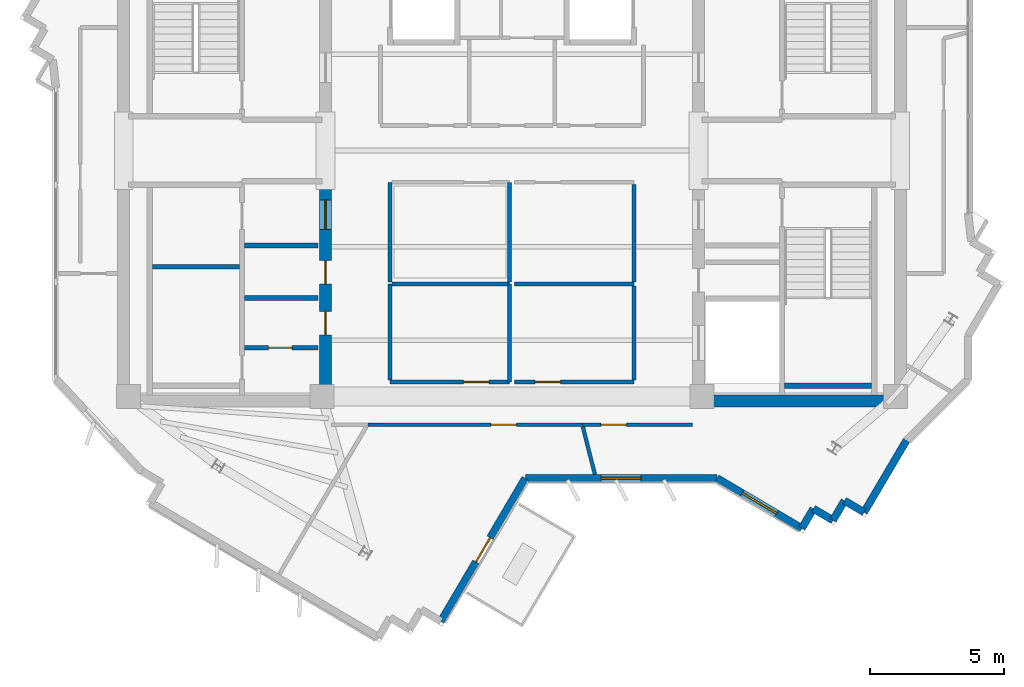
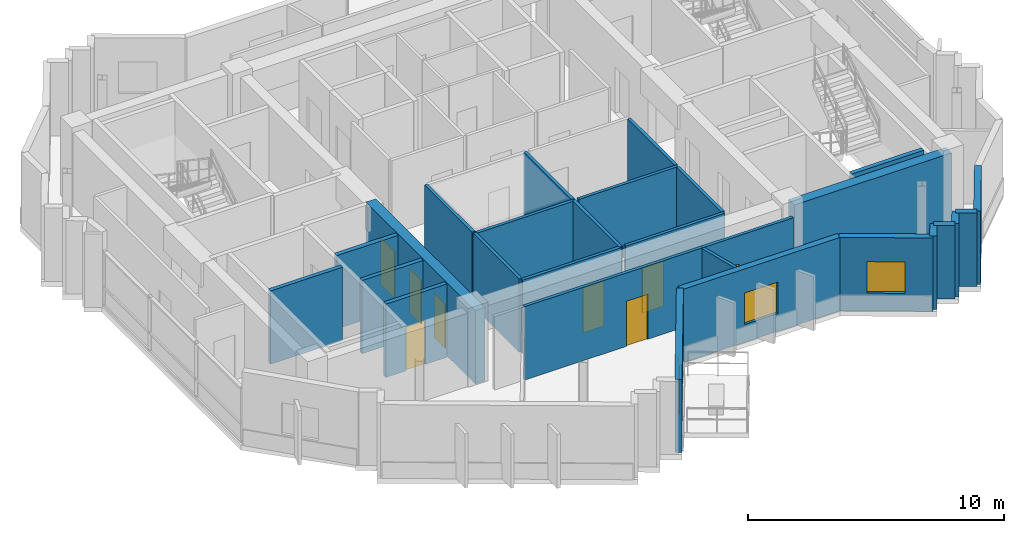
# One storey, part 4 of 10: 28 walls, 9 doors, 2 windows, 11 openings.
"""IFC4 building model written with IfcOpenShell, lengths in metres."""

from ifc_helpers import new_model, si_unit, direction, frame, frame_2d, origin, place, context, subcontext, project, spatial, rectangle, extrude, source, transform, mapped, material, layer, layer_set, type_object, element, fill, save


model = new_model("IFC4")

# Units and contexts
model_context = context("Model", 3, precision=1e-05, world=origin(), true_north=direction((0.0, 1.0)))
body_context = subcontext(model_context, "Body", "Model", "MODEL_VIEW")
ifc_project = project(units=[si_unit("LENGTHUNIT", "METRE"), si_unit("AREAUNIT", "SQUARE_METRE"), si_unit("VOLUMEUNIT", "CUBIC_METRE"), si_unit("PLANEANGLEUNIT", "RADIAN"), si_unit("MASSUNIT", "GRAM", prefix="KILO")], contexts=[model_context])

# Site, building, storey
site_placement = place(None, origin())
site = spatial("IfcSite", under=ifc_project, at=site_placement, CompositionType="ELEMENT")
building_placement = place(site_placement, origin())
building = spatial("IfcBuilding", under=site, at=building_placement, Name="Zahravan Cultural Tower", CompositionType="ELEMENT")
storey_placement = place(building_placement, frame((0.0, 0.0, 349.800048828125)))
storey = spatial("IfcBuildingStorey", under=building, at=storey_placement, Name="L85", CompositionType="ELEMENT", Elevation=349.800048828125)

# Wall, openings, doors
ifc_material_1 = material(Name="Concrete C50/60", Category="concrete")
ifc_layer_1 = layer(ifc_material_1, 0.449951171875)
ifc_layer_set_1 = layer_set([ifc_layer_1], Name="Concrete C50/60")
wall_type_1 = type_object("IfcWallType", Name="CW-SHEAR-450-C50", PredefinedType="SHEAR", material=ifc_layer_set_1)
wall_1_placement = place(storey_placement, frame((29.02490234375, 17.39990234375, 0.0), z_axis=(0.0, 0.0, 1.0), x_axis=(0.0, 1.0, 0.0)))
wall_1 = element("IfcWall", 1, at=wall_1_placement, inside=storey, type_object=wall_type_1, Name="L85 Core Shear Wall CW-W-ES-L85", PredefinedType="SHEAR", context=body_context, shape_type="SweptSolid", body=[
    extrude(rectangle(XDim=8.550048828125, YDim=0.449951171875, at=frame_2d((4.27490234375, 0.0))), origin(), (0.0, 0.0, 1.0), 3.5),
])
opening_1_placement = place(wall_1_placement, frame((6.64990234375, 0.0, 0.0)))
opening_1 = element("IfcOpeningElement", 2, at=opening_1_placement, cuts=wall_1, Name="Opening D-L85-08", PredefinedType="OPENING", context=body_context, shape_type="SweptSolid", body=[
    extrude(rectangle(XDim=1.10009765625, YDim=2.199951171875, at=frame_2d((0.550048828125, 1.10009765625))), frame((0.0, 0.23486328125, 0.0), z_axis=(0.0, -1.0, 0.0), x_axis=(1.0, 0.0, 0.0)), (0.0, 0.0, 1.0), 0.469970703125),
])
opening_2_placement = place(wall_1_placement, frame((2.699951171875, 0.0, 0.0)))
opening_2 = element("IfcOpeningElement", 3, at=opening_2_placement, cuts=wall_1, Name="Opening D-L85-11", PredefinedType="OPENING", context=body_context, shape_type="SweptSolid", body=[
    extrude(rectangle(XDim=0.8798828125, YDim=2.10009765625, at=frame_2d((0.43994140625, 1.050048828125))), frame((0.0, 0.23486328125, 0.0), z_axis=(0.0, -1.0, 0.0), x_axis=(1.0, 0.0, 0.0)), (0.0, 0.0, 1.0), 0.469970703125),
])
opening_3_placement = place(wall_1_placement, frame((4.60009765625, 0.0, 0.0)))
opening_3 = element("IfcOpeningElement", 4, at=opening_3_placement, cuts=wall_1, Name="Opening D-L85-12", PredefinedType="OPENING", context=body_context, shape_type="SweptSolid", body=[
    extrude(rectangle(XDim=0.8798828125, YDim=2.10009765625, at=frame_2d((0.43994140625, 1.050048828125))), frame((0.0, 0.23486328125, 0.0), z_axis=(0.0, -1.0, 0.0), x_axis=(1.0, 0.0, 0.0)), (0.0, 0.0, 1.0), 0.469970703125),
])
ifc_material_2 = material(Name="Steel ASTM A572 Grade 50", Category="steel")
door_type_1 = type_object("IfcDoorType", Name="DR-LOBBY-1100", OperationType="NOTDEFINED", PredefinedType="DOOR", material=ifc_material_2)
shared_shape_1 = source(origin(), body_context, "Body", "SweptSolid", [
    extrude(rectangle(XDim=1.10009765625, YDim=2.199951171875, at=frame_2d((0.550048828125, 1.10009765625))), frame((0.0, 0.02490234375, 0.0), z_axis=(0.0, -1.0, 0.0), x_axis=(1.0, 0.0, 0.0)), (0.0, 0.0, 1.0), 0.050048828125),
])
door_1_placement = place(opening_1_placement, origin())
door_1 = element("IfcDoor", 5, at=door_1_placement, inside=storey, type_object=door_type_1, Name="L85 Door D-L85-08", OperationType="SINGLE_SWING_LEFT", OverallHeight=2.199951171875, OverallWidth=1.10009765625, PredefinedType="DOOR", context=body_context, shape_type="MappedRepresentation", body=[
    mapped(shared_shape_1, transform((0.0, 0.0, 0.0), x_axis=(1.0, 0.0, 0.0), y_axis=(0.0, 1.0, 0.0), z_axis=(0.0, 0.0, 1.0), scale=1.0)),
])
fill(opening_1, door_1)
door_type_2 = type_object("IfcDoorType", Name="DR-SVC-880", OperationType="NOTDEFINED", PredefinedType="DOOR", material=ifc_material_2)
shared_shape_2 = source(origin(), body_context, "Body", "SweptSolid", [
    extrude(rectangle(XDim=0.8798828125, YDim=2.10009765625, at=frame_2d((0.43994140625, 1.050048828125))), frame((0.0, 0.02490234375, 0.0), z_axis=(0.0, -1.0, 0.0), x_axis=(1.0, 0.0, 0.0)), (0.0, 0.0, 1.0), 0.050048828125),
])
door_2_placement = place(opening_2_placement, origin())
door_2 = element("IfcDoor", 6, at=door_2_placement, inside=storey, type_object=door_type_2, Name="L85 Door D-L85-11", OperationType="SINGLE_SWING_RIGHT", OverallHeight=2.10009765625, OverallWidth=0.8798828125, PredefinedType="DOOR", context=body_context, shape_type="MappedRepresentation", body=[
    mapped(shared_shape_2, transform((0.0, 0.0, 0.0), x_axis=(1.0, 0.0, 0.0), y_axis=(0.0, 1.0, 0.0), z_axis=(0.0, 0.0, 1.0), scale=1.0)),
])
fill(opening_2, door_2)
door_3_placement = place(opening_3_placement, origin())
door_3 = element("IfcDoor", 7, at=door_3_placement, inside=storey, type_object=door_type_2, Name="L85 Door D-L85-12", OperationType="SINGLE_SWING_LEFT", OverallHeight=2.10009765625, OverallWidth=0.8798828125, PredefinedType="DOOR", context=body_context, shape_type="MappedRepresentation", body=[
    mapped(shared_shape_2, transform((0.0, 0.0, 0.0), x_axis=(1.0, 0.0, 0.0), y_axis=(0.0, 1.0, 0.0), z_axis=(0.0, 0.0, 1.0), scale=1.0)),
])
fill(opening_3, door_3)

# Wall, opening, window
ifc_material_3 = material(Name="Precast concrete C40/50", Category="concrete")
ifc_layer_2 = layer(ifc_material_3, 0.280029296875)
ifc_layer_set_2 = layer_set([ifc_layer_2], Name="Precast concrete C40/50")
wall_type_2 = type_object("IfcWallType", Name="EW-TC-280", PredefinedType="SOLIDWALL", material=ifc_layer_set_2)
wall_2_placement = place(storey_placement, frame((46.841552734375, 12.867431640625, 0.0), z_axis=(0.0, 0.0, 1.0), x_axis=(-0.861166561994, 0.508322882137, 0.0)))
wall_2 = element("IfcWall", 8, at=wall_2_placement, inside=storey, type_object=wall_type_2, Name="L85 Exterior Masonry Frame Wall 22", PredefinedType="SOLIDWALL", context=body_context, shape_type="SweptSolid", body=[
    extrude(rectangle(XDim=3.683837890625, YDim=0.280029296875, at=frame_2d((1.841796875, 0.0))), origin(), (0.0, 0.0, 1.0), 3.5),
])
opening_4_placement = place(wall_2_placement, frame((1.092041015625, 0.0, 0.85009765625)))
opening_4 = element("IfcOpeningElement", 9, at=opening_4_placement, cuts=wall_2, Name="Opening WN-03", PredefinedType="OPENING", context=body_context, shape_type="SweptSolid", body=[
    extrude(rectangle(XDim=1.5, YDim=1.5, at=frame_2d((0.75, 0.75))), frame((0.0, 0.14990234375, 0.0), z_axis=(0.0, -1.0, 0.0), x_axis=(1.0, 0.0, 0.0)), (0.0, 0.0, 1.0), 0.300048828125),
])
ifc_material_4 = material(Name="Low-E solar-control double glazing", Category="glass")
window_type = type_object("IfcWindowType", Name="WN-REC-1500X1500", PartitioningType="SINGLE_PANEL", PredefinedType="WINDOW", material=ifc_material_4)
shared_shape_3 = source(origin(), body_context, "Body", "SweptSolid", [
    extrude(rectangle(XDim=1.5, YDim=1.5, at=frame_2d((0.75, 0.75))), frame((0.0, 0.030029296875, 0.0), z_axis=(0.0, -1.0, 0.0), x_axis=(1.0, 0.0, 0.0)), (0.0, 0.0, 1.0), 0.06005859375),
])
window_1_placement = place(opening_4_placement, origin())
window_1 = element("IfcWindow", 10, at=window_1_placement, inside=storey, type_object=window_type, Name="L85 Recessed Solar Window 04", OverallHeight=1.5, OverallWidth=1.5, PartitioningType="SINGLE_PANEL", PredefinedType="WINDOW", context=body_context, shape_type="MappedRepresentation", body=[
    mapped(shared_shape_3, transform((0.0, 0.0, 0.0), x_axis=(1.0, 0.0, 0.0), y_axis=(0.0, 1.0, 0.0), z_axis=(0.0, 0.0, 1.0), scale=1.0)),
])
fill(opening_4, window_1)

wall_3_placement = place(storey_placement, frame((43.669189453125, 14.739990234375, 0.0), z_axis=(0.0, 0.0, 1.0), x_axis=(-1.0, 0.0, 0.0)))
wall_3 = element("IfcWall", 11, at=wall_3_placement, inside=storey, type_object=wall_type_2, Name="L85 Exterior Masonry Frame Wall 23", PredefinedType="SOLIDWALL", context=body_context, shape_type="SweptSolid", body=[
    extrude(rectangle(XDim=7.171875, YDim=0.280029296875, at=frame_2d((3.5859375, 0.0))), origin(), (0.0, 0.0, 1.0), 3.5),
])
opening_5_placement = place(wall_3_placement, frame((2.8359375, 0.0, 0.85009765625)))
opening_5 = element("IfcOpeningElement", 12, at=opening_5_placement, cuts=wall_3, Name="Opening WN-03", PredefinedType="OPENING", context=body_context, shape_type="SweptSolid", body=[
    extrude(rectangle(XDim=1.5, YDim=1.5, at=frame_2d((0.75, 0.75))), frame((0.0, 0.14990234375, 0.0), z_axis=(0.0, -1.0, 0.0), x_axis=(1.0, 0.0, 0.0)), (0.0, 0.0, 1.0), 0.300048828125),
])
window_2_placement = place(opening_5_placement, origin())
window_2 = element("IfcWindow", 13, at=window_2_placement, inside=storey, type_object=window_type, Name="L85 Recessed Solar Window 05", OverallHeight=1.5, OverallWidth=1.5, PartitioningType="SINGLE_PANEL", PredefinedType="WINDOW", context=body_context, shape_type="MappedRepresentation", body=[
    mapped(shared_shape_3, transform((0.0, 0.0, 0.0), x_axis=(1.0, 0.0, 0.0), y_axis=(0.0, 1.0, 0.0), z_axis=(0.0, 0.0, 1.0), scale=1.0)),
])
fill(opening_5, window_2)

# Wall, opening, door
wall_4_placement = place(storey_placement, frame((36.497314453125, 14.739990234375, 0.0), z_axis=(0.0, 0.0, 1.0), x_axis=(-0.508266003384, -0.861200133421, 0.0)))
wall_4 = element("IfcWall", 14, at=wall_4_placement, inside=storey, type_object=wall_type_2, Name="L85 Exterior Masonry Frame Wall 24", PredefinedType="SOLIDWALL", context=body_context, shape_type="SweptSolid", body=[
    extrude(rectangle(XDim=6.214599609375, YDim=0.280029296875, at=frame_2d((3.107421875, 0.0))), origin(), (0.0, 0.0, 1.0), 3.5),
])
opening_6_placement = place(wall_4_placement, frame((2.58203125, 0.0, 0.0)))
opening_6 = element("IfcOpeningElement", 15, at=opening_6_placement, cuts=wall_4, Name="Opening D-L85-TR-SW", PredefinedType="OPENING", context=body_context, shape_type="SweptSolid", body=[
    extrude(rectangle(XDim=1.050048828125, YDim=2.14990234375, at=frame_2d((0.52490234375, 1.074951171875))), frame((0.0, 0.14990234375, 0.0), z_axis=(0.0, -1.0, 0.0), x_axis=(1.0, 0.0, 0.0)), (0.0, 0.0, 1.0), 0.300048828125),
])
ifc_material_5 = material(Name="Anodised bronze-aluminium mullion", Category="aluminium")
door_type_3 = type_object("IfcDoorType", Name="DR-TERR-1050", OperationType="NOTDEFINED", PredefinedType="DOOR", material=ifc_material_5)
shared_shape_4 = source(origin(), body_context, "Body", "SweptSolid", [
    extrude(rectangle(XDim=1.050048828125, YDim=2.14990234375, at=frame_2d((0.52490234375, 1.074951171875))), frame((0.0, 0.02490234375, 0.0), z_axis=(0.0, -1.0, 0.0), x_axis=(1.0, 0.0, 0.0)), (0.0, 0.0, 1.0), 0.050048828125),
])
door_4_placement = place(opening_6_placement, origin())
door_4 = element("IfcDoor", 16, at=door_4_placement, inside=storey, type_object=door_type_3, Name="L85 Terrace Access Door SW", OperationType="SINGLE_SWING_RIGHT", OverallHeight=2.14990234375, OverallWidth=1.050048828125, PredefinedType="DOOR", context=body_context, shape_type="MappedRepresentation", body=[
    mapped(shared_shape_4, transform((0.0, 0.0, 0.0), x_axis=(1.0, 0.0, 0.0), y_axis=(0.0, 1.0, 0.0), z_axis=(0.0, 0.0, 1.0), scale=1.0)),
])
fill(opening_6, door_4)

ifc_material_6 = material(Name="Gypsum plasterboard partition")
ifc_layer_3 = layer(ifc_material_6, 0.179931640625)
ifc_layer_set_3 = layer_set([ifc_layer_3], Name="Gypsum plasterboard partition")
wall_type_3 = type_object("IfcWallType", Name="W-COMP-180", PredefinedType="PARTITIONING", material=ifc_layer_set_3)
wall_5_placement = place(storey_placement, frame((26.0, 19.6201171875, 0.0), z_axis=(0.0, 0.0, 1.0), x_axis=(1.0, 0.0, 0.0)))
wall_5 = element("IfcWall", 17, at=wall_5_placement, inside=storey, type_object=wall_type_3, Name="L85 Interior Wall 027", PredefinedType="PARTITIONING", context=body_context, shape_type="SweptSolid", body=[
    extrude(rectangle(XDim=2.75, YDim=0.179931640625, at=frame_2d((1.375, 0.0))), origin(), (0.0, 0.0, 1.0), 3.5),
])
opening_7_placement = place(wall_5_placement, frame((0.89990234375, 0.0, 0.0)))
opening_7 = element("IfcOpeningElement", 18, at=opening_7_placement, cuts=wall_5, Name="Opening D-L85-10", PredefinedType="OPENING", context=body_context, shape_type="SweptSolid", body=[
    extrude(rectangle(XDim=0.8798828125, YDim=2.10009765625, at=frame_2d((0.43994140625, 1.050048828125))), frame((0.0, 0.099853515625, 0.0), z_axis=(0.0, -1.0, 0.0), x_axis=(1.0, 0.0, 0.0)), (0.0, 0.0, 1.0), 0.199951171875),
])
door_5_placement = place(opening_7_placement, origin())
door_5 = element("IfcDoor", 19, at=door_5_placement, inside=storey, type_object=door_type_2, Name="L85 Door D-L85-10", OperationType="SINGLE_SWING_LEFT", OverallHeight=2.10009765625, OverallWidth=0.8798828125, PredefinedType="DOOR", context=body_context, shape_type="MappedRepresentation", body=[
    mapped(shared_shape_2, transform((0.0, 0.0, 0.0), x_axis=(1.0, 0.0, 0.0), y_axis=(0.0, 1.0, 0.0), z_axis=(0.0, 0.0, 1.0), scale=1.0)),
])
fill(opening_7, door_5)

ifc_layer_4 = layer(ifc_material_6, 0.139892578125)
ifc_layer_set_4 = layer_set([ifc_layer_4], Name="Gypsum plasterboard partition")
wall_type_4 = type_object("IfcWallType", Name="W-PART-140", PredefinedType="PARTITIONING", material=ifc_layer_set_4)
wall_6_placement = place(storey_placement, frame((35.909912109375, 18.340087890625, 0.0), z_axis=(0.0, 0.0, 1.0), x_axis=(-1.0, 0.0, 0.0)))
wall_6 = element("IfcWall", 20, at=wall_6_placement, inside=storey, type_object=wall_type_4, Name="L85 Interior Wall 058", PredefinedType="PARTITIONING", context=body_context, shape_type="SweptSolid", body=[
    extrude(rectangle(XDim=4.469970703125, YDim=0.139892578125, at=frame_2d((2.23486328125, 0.0))), origin(), (0.0, 0.0, 1.0), 3.5),
])
opening_8_placement = place(wall_6_placement, frame((0.7744140625, 0.0, 0.0)))
opening_8 = element("IfcOpeningElement", 21, at=opening_8_placement, cuts=wall_6, Name="Opening D-L85-14", PredefinedType="OPENING", context=body_context, shape_type="SweptSolid", body=[
    extrude(rectangle(XDim=0.949951171875, YDim=2.14990234375, at=frame_2d((0.47509765625, 1.074951171875))), frame((0.0, 0.079833984375, 0.0), z_axis=(0.0, -1.0, 0.0), x_axis=(1.0, 0.0, 0.0)), (0.0, 0.0, 1.0), 0.159912109375),
])
door_type_4 = type_object("IfcDoorType", Name="DR-ROOM-950", OperationType="NOTDEFINED", PredefinedType="DOOR", material=ifc_material_5)
shared_shape_5 = source(origin(), body_context, "Body", "SweptSolid", [
    extrude(rectangle(XDim=0.949951171875, YDim=2.14990234375, at=frame_2d((0.47509765625, 1.074951171875))), frame((0.0, 0.02490234375, 0.0), z_axis=(0.0, -1.0, 0.0), x_axis=(1.0, 0.0, 0.0)), (0.0, 0.0, 1.0), 0.050048828125),
])
door_6_placement = place(opening_8_placement, origin())
door_6 = element("IfcDoor", 22, at=door_6_placement, inside=storey, type_object=door_type_4, Name="L85 Door D-L85-14", OperationType="SINGLE_SWING_LEFT", OverallHeight=2.14990234375, OverallWidth=0.949951171875, PredefinedType="DOOR", context=body_context, shape_type="MappedRepresentation", body=[
    mapped(shared_shape_5, transform((0.0, 0.0, 0.0), x_axis=(1.0, 0.0, 0.0), y_axis=(0.0, 1.0, 0.0), z_axis=(0.0, 0.0, 1.0), scale=1.0)),
])
fill(opening_8, door_6)

wall_7_placement = place(storey_placement, frame((40.56005859375, 18.340087890625, 0.0), z_axis=(0.0, 0.0, 1.0), x_axis=(-1.0, 0.0, 0.0)))
wall_7 = element("IfcWall", 23, at=wall_7_placement, inside=storey, type_object=wall_type_4, Name="L85 Interior Wall 062", PredefinedType="PARTITIONING", context=body_context, shape_type="SweptSolid", body=[
    extrude(rectangle(XDim=4.469970703125, YDim=0.139892578125, at=frame_2d((2.23486328125, 0.0))), origin(), (0.0, 0.0, 1.0), 3.5),
])
opening_9_placement = place(wall_7_placement, frame((2.74560546875, 0.0, 0.0)))
opening_9 = element("IfcOpeningElement", 24, at=opening_9_placement, cuts=wall_7, Name="Opening D-L85-16", PredefinedType="OPENING", context=body_context, shape_type="SweptSolid", body=[
    extrude(rectangle(XDim=0.949951171875, YDim=2.14990234375, at=frame_2d((0.47509765625, 1.074951171875))), frame((0.0, 0.079833984375, 0.0), z_axis=(0.0, -1.0, 0.0), x_axis=(1.0, 0.0, 0.0)), (0.0, 0.0, 1.0), 0.159912109375),
])
door_7_placement = place(opening_9_placement, origin())
door_7 = element("IfcDoor", 25, at=door_7_placement, inside=storey, type_object=door_type_4, Name="L85 Door D-L85-16", OperationType="SINGLE_SWING_LEFT", OverallHeight=2.14990234375, OverallWidth=0.949951171875, PredefinedType="DOOR", context=body_context, shape_type="MappedRepresentation", body=[
    mapped(shared_shape_5, transform((0.0, 0.0, 0.0), x_axis=(1.0, 0.0, 0.0), y_axis=(0.0, 1.0, 0.0), z_axis=(0.0, 0.0, 1.0), scale=1.0)),
])
fill(opening_9, door_7)

wall_8_placement = place(storey_placement, frame((38.632080078125, 16.739990234375, 0.0), z_axis=(0.0, 0.0, 1.0), x_axis=(1.0, 0.0, 0.0)))
wall_8 = element("IfcWall", 26, at=wall_8_placement, inside=storey, type_object=wall_type_4, Name="L85 Interior Wall 076", PredefinedType="PARTITIONING", context=body_context, shape_type="SweptSolid", body=[
    extrude(rectangle(XDim=4.112060546875, YDim=0.139892578125, at=frame_2d((2.05615234375, 0.0))), origin(), (0.0, 0.0, 1.0), 3.5),
])
opening_10_placement = place(wall_8_placement, frame((0.695556640625, 0.0, 0.0)))
opening_10 = element("IfcOpeningElement", 27, at=opening_10_placement, cuts=wall_8, Name="Opening D-L85-27", PredefinedType="OPENING", context=body_context, shape_type="SweptSolid", body=[
    extrude(rectangle(XDim=0.949951171875, YDim=2.14990234375, at=frame_2d((0.47509765625, 1.074951171875))), frame((0.0, 0.079833984375, 0.0), z_axis=(0.0, -1.0, 0.0), x_axis=(1.0, 0.0, 0.0)), (0.0, 0.0, 1.0), 0.159912109375),
])
door_8_placement = place(opening_10_placement, origin())
door_8 = element("IfcDoor", 28, at=door_8_placement, inside=storey, type_object=door_type_4, Name="L85 Door D-L85-27", OperationType="SINGLE_SWING_RIGHT", OverallHeight=2.14990234375, OverallWidth=0.949951171875, PredefinedType="DOOR", context=body_context, shape_type="MappedRepresentation", body=[
    mapped(shared_shape_5, transform((0.0, 0.0, 0.0), x_axis=(1.0, 0.0, 0.0), y_axis=(0.0, 1.0, 0.0), z_axis=(0.0, 0.0, 1.0), scale=1.0)),
])
fill(opening_10, door_8)

wall_9_placement = place(storey_placement, frame((30.617919921875, 16.739990234375, 0.0), z_axis=(0.0, 0.0, 1.0), x_axis=(1.0, 0.0, 0.0)))
wall_9 = element("IfcWall", 29, at=wall_9_placement, inside=storey, type_object=wall_type_4, Name="L85 Interior Wall 081", PredefinedType="PARTITIONING", context=body_context, shape_type="SweptSolid", body=[
    extrude(rectangle(XDim=8.01416015625, YDim=0.139892578125, at=frame_2d((4.007080078125, 0.0))), origin(), (0.0, 0.0, 1.0), 3.5),
])
opening_11_placement = place(wall_9_placement, frame((4.591796875, 0.0, 0.0)))
opening_11 = element("IfcOpeningElement", 30, at=opening_11_placement, cuts=wall_9, Name="Opening D-L85-26", PredefinedType="OPENING", context=body_context, shape_type="SweptSolid", body=[
    extrude(rectangle(XDim=0.949951171875, YDim=2.14990234375, at=frame_2d((0.47509765625, 1.074951171875))), frame((0.0, 0.079833984375, 0.0), z_axis=(0.0, -1.0, 0.0), x_axis=(1.0, 0.0, 0.0)), (0.0, 0.0, 1.0), 0.159912109375),
])
door_9_placement = place(opening_11_placement, origin())
door_9 = element("IfcDoor", 31, at=door_9_placement, inside=storey, type_object=door_type_4, Name="L85 Door D-L85-26", OperationType="SINGLE_SWING_LEFT", OverallHeight=2.14990234375, OverallWidth=0.949951171875, PredefinedType="DOOR", context=body_context, shape_type="MappedRepresentation", body=[
    mapped(shared_shape_5, transform((0.0, 0.0, 0.0), x_axis=(1.0, 0.0, 0.0), y_axis=(0.0, 1.0, 0.0), z_axis=(0.0, 0.0, 1.0), scale=1.0)),
])
fill(opening_11, door_9)

# Walls
shared_shape_6 = source(origin(), body_context, "Body", "SweptSolid", [
    extrude(rectangle(XDim=7.10009765625, YDim=0.449951171875, at=frame_2d((3.550048828125, 0.0))), origin(), (0.0, 0.0, 1.0), 3.5),
])
wall_10_placement = place(storey_placement, frame((43.199951171875, 17.625, 0.0), z_axis=(0.0, 0.0, 1.0), x_axis=(1.0, 0.0, 0.0)))
element("IfcWall", 32, at=wall_10_placement, inside=storey, type_object=wall_type_1, Name="L85 Core Shear Wall CW-E-S-L85", PredefinedType="SHEAR", context=body_context, shape_type="MappedRepresentation", body=[
    mapped(shared_shape_6, transform((0.0, 0.0, 0.0), x_axis=(1.0, 0.0, 0.0), y_axis=(0.0, 1.0, 0.0), z_axis=(0.0, 0.0, 1.0), scale=1.0)),
])
shared_shape_7 = source(origin(), body_context, "Body", "SweptSolid", [
    extrude(rectangle(XDim=0.85009765625, YDim=0.280029296875, at=frame_2d((0.425048828125, 0.0))), origin(), (0.0, 0.0, 1.0), 3.5),
])
for number, where, z_axis, x_axis, name in (
    (33, (49.169677734375, 13.46728515625, 0.0), (0.0, 0.0, 1.0), (-0.861120885632, 0.508400256027, 0.0), "L85 Exterior Masonry Frame Wall 18"),
    (34, (48.437744140625, 13.8994140625, 0.0), (0.0, 0.0, 1.0), (-0.508400256027, -0.861120885632, 0.0), "L85 Exterior Masonry Frame Wall 19"),
    (35, (48.005615234375, 13.16748046875, 0.0), (0.0, 0.0, 1.0), (-0.861120885632, 0.508400256027, 0.0), "L85 Exterior Masonry Frame Wall 20"),
    (36, (47.273681640625, 13.599609375, 0.0), (0.0, 0.0, 1.0), (-0.508274533332, -0.861195099131, 0.0), "L85 Exterior Masonry Frame Wall 21"),
):
    element("IfcWall", number, at=place(storey_placement, frame(where, z_axis=z_axis, x_axis=x_axis)), inside=storey, type_object=wall_type_2, Name=name, PredefinedType="SOLIDWALL", context=body_context, shape_type="MappedRepresentation", body=[
        mapped(shared_shape_7, transform((0.0, 0.0, 0.0), x_axis=(1.0, 0.0, 0.0), y_axis=(0.0, 1.0, 0.0), z_axis=(0.0, 0.0, 1.0), scale=1.0)),
    ])
shared_shape_8 = source(origin(), body_context, "Body", "SweptSolid", [
    extrude(rectangle(XDim=3.117919921875, YDim=0.280029296875, at=frame_2d((1.55908203125, 0.0))), origin(), (0.0, 0.0, 1.0), 3.5),
])
wall_11_placement = place(storey_placement, frame((50.75439453125, 16.15234375, 0.0), z_axis=(0.0, 0.0, 1.0), x_axis=(-0.508275482209, -0.861194539106, 0.0)))
element("IfcWall", 37, at=wall_11_placement, inside=storey, type_object=wall_type_2, Name="L85 Exterior Masonry Frame Wall 17", PredefinedType="SOLIDWALL", context=body_context, shape_type="MappedRepresentation", body=[
    mapped(shared_shape_8, transform((0.0, 0.0, 0.0), x_axis=(1.0, 0.0, 0.0), y_axis=(0.0, 1.0, 0.0), z_axis=(0.0, 0.0, 1.0), scale=1.0)),
])
ifc_material_7 = material(Name="Concrete C45/55", Category="concrete")
ifc_layer_5 = layer(ifc_material_7, 0.199951171875)
ifc_layer_set_5 = layer_set([ifc_layer_5], Name="Concrete C45/55")
wall_type_5 = type_object("IfcWallType", Name="W-SHAFT-200", PredefinedType="SOLIDWALL", material=ifc_layer_set_5)
shared_shape_9 = source(origin(), body_context, "Body", "SweptSolid", [
    extrude(rectangle(XDim=3.25, YDim=0.199951171875, at=frame_2d((1.625, 0.0))), origin(), (0.0, 0.0, 1.0), 3.5),
])
wall_12_placement = place(storey_placement, frame((46.199951171875, 18.199951171875, 0.0), z_axis=(0.0, 0.0, 1.0), x_axis=(1.0, 0.0, 0.0)))
element("IfcWall", 38, at=wall_12_placement, inside=storey, type_object=wall_type_5, Name="L85 Interior Wall 020", PredefinedType="SOLIDWALL", context=body_context, shape_type="MappedRepresentation", body=[
    mapped(shared_shape_9, transform((0.0, 0.0, 0.0), x_axis=(1.0, 0.0, 0.0), y_axis=(0.0, 1.0, 0.0), z_axis=(0.0, 0.0, 1.0), scale=1.0)),
])
shared_shape_10 = source(origin(), body_context, "Body", "SweptSolid", [
    extrude(rectangle(XDim=3.25, YDim=0.179931640625, at=frame_2d((1.625, 0.0))), origin(), (0.0, 0.0, 1.0), 3.5),
])
wall_13_placement = place(storey_placement, frame((22.550048828125, 22.64990234375, 0.0), z_axis=(0.0, 0.0, 1.0), x_axis=(1.0, 0.0, 0.0)))
element("IfcWall", 39, at=wall_13_placement, inside=storey, type_object=wall_type_3, Name="L85 Interior Wall 021", PredefinedType="PARTITIONING", context=body_context, shape_type="MappedRepresentation", body=[
    mapped(shared_shape_10, transform((0.0, 0.0, 0.0), x_axis=(1.0, 0.0, 0.0), y_axis=(0.0, 1.0, 0.0), z_axis=(0.0, 0.0, 1.0), scale=1.0)),
])
shared_shape_11 = source(origin(), body_context, "Body", "SweptSolid", [
    extrude(rectangle(XDim=2.75, YDim=0.199951171875, at=frame_2d((1.375, 0.0))), origin(), (0.0, 0.0, 1.0), 3.5),
])
wall_14_placement = place(storey_placement, frame((26.0, 23.449951171875, 0.0), z_axis=(0.0, 0.0, 1.0), x_axis=(1.0, 0.0, 0.0)))
element("IfcWall", 40, at=wall_14_placement, inside=storey, type_object=wall_type_5, Name="L85 Interior Wall 024", PredefinedType="SOLIDWALL", context=body_context, shape_type="MappedRepresentation", body=[
    mapped(shared_shape_11, transform((0.0, 0.0, 0.0), x_axis=(1.0, 0.0, 0.0), y_axis=(0.0, 1.0, 0.0), z_axis=(0.0, 0.0, 1.0), scale=1.0)),
])
shared_shape_12 = source(origin(), body_context, "Body", "SweptSolid", [
    extrude(rectangle(XDim=2.75, YDim=0.179931640625, at=frame_2d((1.375, 0.0))), origin(), (0.0, 0.0, 1.0), 3.5),
])
wall_15_placement = place(storey_placement, frame((26.0, 21.47998046875, 0.0), z_axis=(0.0, 0.0, 1.0), x_axis=(1.0, 0.0, 0.0)))
element("IfcWall", 41, at=wall_15_placement, inside=storey, type_object=wall_type_3, Name="L85 Interior Wall 028", PredefinedType="PARTITIONING", context=body_context, shape_type="MappedRepresentation", body=[
    mapped(shared_shape_12, transform((0.0, 0.0, 0.0), x_axis=(1.0, 0.0, 0.0), y_axis=(0.0, 1.0, 0.0), z_axis=(0.0, 0.0, 1.0), scale=1.0)),
])
shared_shape_13 = source(origin(), body_context, "Body", "SweptSolid", [
    extrude(rectangle(XDim=3.594970703125, YDim=0.139892578125, at=frame_2d((1.79736328125, 0.0))), origin(), (0.0, 0.0, 1.0), 3.5),
])
wall_16_placement = place(storey_placement, frame((31.43994140625, 18.4150390625, 0.0), z_axis=(0.0, 0.0, 1.0), x_axis=(0.0, 1.0, 0.0)))
element("IfcWall", 42, at=wall_16_placement, inside=storey, type_object=wall_type_4, Name="L85 Interior Wall 059", PredefinedType="PARTITIONING", context=body_context, shape_type="MappedRepresentation", body=[
    mapped(shared_shape_13, transform((0.0, 0.0, 0.0), x_axis=(1.0, 0.0, 0.0), y_axis=(0.0, 1.0, 0.0), z_axis=(0.0, 0.0, 1.0), scale=1.0)),
])
shared_shape_14 = source(origin(), body_context, "Body", "SweptSolid", [
    extrude(rectangle(XDim=4.39501953125, YDim=0.139892578125, at=frame_2d((2.197509765625, 0.0))), origin(), (0.0, 0.0, 1.0), 3.5),
])
wall_17_placement = place(storey_placement, frame((31.514892578125, 22.010009765625, 0.0), z_axis=(0.0, 0.0, 1.0), x_axis=(1.0, 0.0, 0.0)))
element("IfcWall", 43, at=wall_17_placement, inside=storey, type_object=wall_type_4, Name="L85 Interior Wall 060", PredefinedType="PARTITIONING", context=body_context, shape_type="MappedRepresentation", body=[
    mapped(shared_shape_14, transform((0.0, 0.0, 0.0), x_axis=(1.0, 0.0, 0.0), y_axis=(0.0, 1.0, 0.0), z_axis=(0.0, 0.0, 1.0), scale=1.0)),
])
shared_shape_15 = source(origin(), body_context, "Body", "SweptSolid", [
    extrude(rectangle(XDim=3.669921875, YDim=0.139892578125, at=frame_2d((1.8349609375, 0.0))), origin(), (0.0, 0.0, 1.0), 3.5),
])
wall_18_placement = place(storey_placement, frame((35.909912109375, 22.010009765625, 0.0), z_axis=(0.0, 0.0, 1.0), x_axis=(0.0, -1.0, 0.0)))
element("IfcWall", 44, at=wall_18_placement, inside=storey, type_object=wall_type_4, Name="L85 Interior Wall 061", PredefinedType="PARTITIONING", context=body_context, shape_type="MappedRepresentation", body=[
    mapped(shared_shape_15, transform((0.0, 0.0, 0.0), x_axis=(1.0, 0.0, 0.0), y_axis=(0.0, 1.0, 0.0), z_axis=(0.0, 0.0, 1.0), scale=1.0)),
])
shared_shape_16 = source(origin(), body_context, "Body", "SweptSolid", [
    extrude(rectangle(XDim=4.469970703125, YDim=0.139892578125, at=frame_2d((2.23486328125, 0.0))), origin(), (0.0, 0.0, 1.0), 3.5),
])
wall_19_placement = place(storey_placement, frame((36.090087890625, 22.010009765625, 0.0), z_axis=(0.0, 0.0, 1.0), x_axis=(1.0, 0.0, 0.0)))
element("IfcWall", 45, at=wall_19_placement, inside=storey, type_object=wall_type_4, Name="L85 Interior Wall 063", PredefinedType="PARTITIONING", context=body_context, shape_type="MappedRepresentation", body=[
    mapped(shared_shape_16, transform((0.0, 0.0, 0.0), x_axis=(1.0, 0.0, 0.0), y_axis=(0.0, 1.0, 0.0), z_axis=(0.0, 0.0, 1.0), scale=1.0)),
])
shared_shape_17 = source(origin(), body_context, "Body", "SweptSolid", [
    extrude(rectangle(XDim=3.52001953125, YDim=0.139892578125, at=frame_2d((1.760009765625, 0.0))), origin(), (0.0, 0.0, 1.0), 3.5),
])
wall_20_placement = place(storey_placement, frame((40.56005859375, 21.93505859375, 0.0), z_axis=(0.0, 0.0, 1.0), x_axis=(0.0, -1.0, 0.0)))
element("IfcWall", 46, at=wall_20_placement, inside=storey, type_object=wall_type_4, Name="L85 Interior Wall 064", PredefinedType="PARTITIONING", context=body_context, shape_type="MappedRepresentation", body=[
    mapped(shared_shape_17, transform((0.0, 0.0, 0.0), x_axis=(1.0, 0.0, 0.0), y_axis=(0.0, 1.0, 0.0), z_axis=(0.0, 0.0, 1.0), scale=1.0)),
])
shared_shape_18 = source(origin(), body_context, "Body", "SweptSolid", [
    extrude(rectangle(XDim=3.719970703125, YDim=0.139892578125, at=frame_2d((1.85986328125, 0.0))), origin(), (0.0, 0.0, 1.0), 3.5),
])
for number, where, z_axis, x_axis, name in (
    (47, (31.43994140625, 22.090087890625, 0.0), (0.0, 0.0, 1.0), (0.0, 1.0, 0.0), "L85 Interior Wall 065"),
    (48, (35.909912109375, 25.81005859375, 0.0), (0.0, 0.0, 1.0), (0.0, -1.0, 0.0), "L85 Interior Wall 067"),
):
    element("IfcWall", number, at=place(storey_placement, frame(where, z_axis=z_axis, x_axis=x_axis)), inside=storey, type_object=wall_type_4, Name=name, PredefinedType="PARTITIONING", context=body_context, shape_type="MappedRepresentation", body=[
        mapped(shared_shape_18, transform((0.0, 0.0, 0.0), x_axis=(1.0, 0.0, 0.0), y_axis=(0.0, 1.0, 0.0), z_axis=(0.0, 0.0, 1.0), scale=1.0)),
    ])
shared_shape_19 = source(origin(), body_context, "Body", "SweptSolid", [
    extrude(rectangle(XDim=3.64501953125, YDim=0.139892578125, at=frame_2d((1.822509765625, 0.0))), origin(), (0.0, 0.0, 1.0), 3.5),
])
wall_21_placement = place(storey_placement, frame((40.56005859375, 25.735107421875, 0.0), z_axis=(0.0, 0.0, 1.0), x_axis=(0.0, -1.0, 0.0)))
element("IfcWall", 49, at=wall_21_placement, inside=storey, type_object=wall_type_4, Name="L85 Interior Wall 069", PredefinedType="PARTITIONING", context=body_context, shape_type="MappedRepresentation", body=[
    mapped(shared_shape_19, transform((0.0, 0.0, 0.0), x_axis=(1.0, 0.0, 0.0), y_axis=(0.0, 1.0, 0.0), z_axis=(0.0, 0.0, 1.0), scale=1.0)),
])
shared_shape_20 = source(origin(), body_context, "Body", "SweptSolid", [
    extrude(rectangle(XDim=1.8359375, YDim=0.139892578125, at=frame_2d((0.91796875, 0.0))), origin(), (0.0, 0.0, 1.0), 3.5),
])
wall_22_placement = place(storey_placement, frame((39.1005859375, 14.885009765625, 0.0), z_axis=(0.0, 0.0, 1.0), x_axis=(-0.24494411221, 0.96953719985, 0.0)))
element("IfcWall", 50, at=wall_22_placement, inside=storey, type_object=wall_type_4, Name="L85 Interior Wall 077", PredefinedType="PARTITIONING", context=body_context, shape_type="MappedRepresentation", body=[
    mapped(shared_shape_20, transform((0.0, 0.0, 0.0), x_axis=(1.0, 0.0, 0.0), y_axis=(0.0, 1.0, 0.0), z_axis=(0.0, 0.0, 1.0), scale=1.0)),
])

save(model, "model.ifc")
